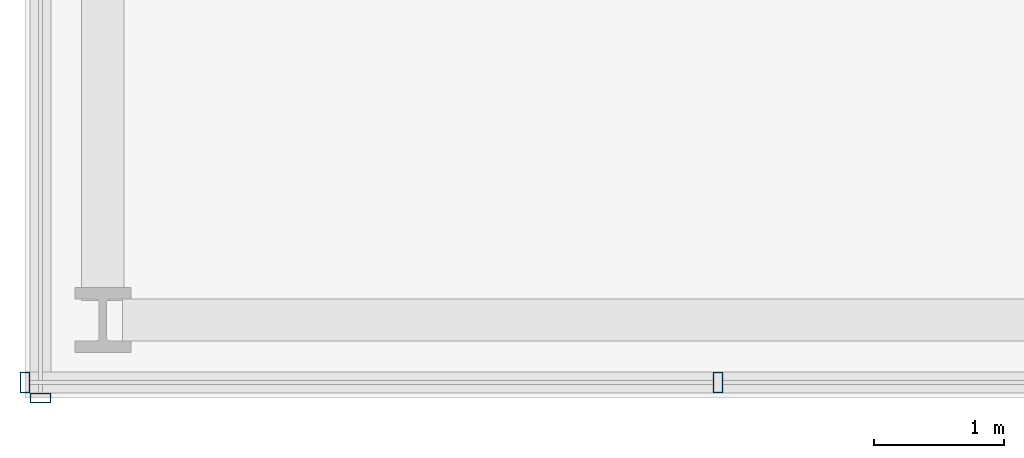
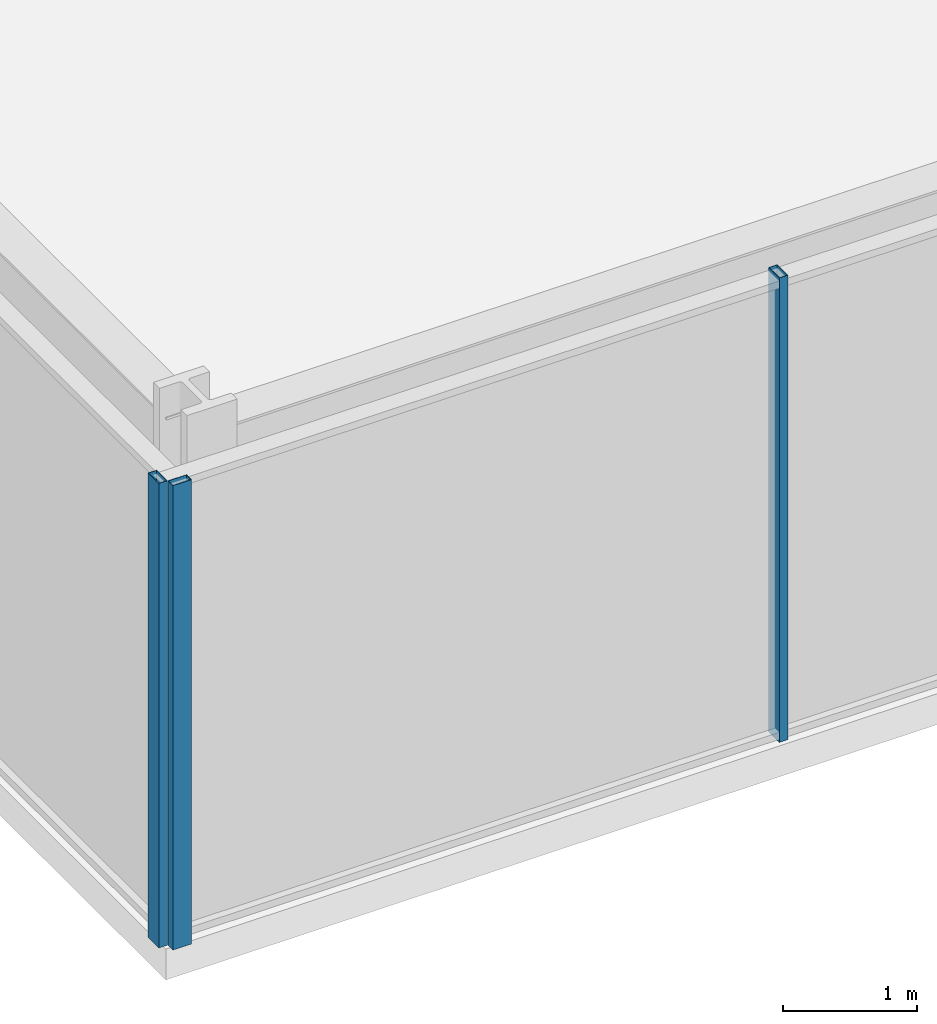
# One storey, part 2 of 47: 3 members, 2 elements without a shape of their own.
"""IFC4 building model written with IfcOpenShell, lengths in metres."""

import ifcopenshell
import ifcopenshell.guid

model = None  # the IFC model being written
_history = None  # IfcOwnerHistory: only IFC2X3 demands one
_inside = {}  # id of a spatial element -> (the spatial element, [elements in it])
_under = {}  # id of a project, library or spatial element -> (it, [spatial elements below it])
_declared = {}  # id of a project -> (the project, [libraries it declares])
_typed = {}  # id of a type object -> (the type object, [elements of that type])
_made_of = {}  # id of a material, layer set ... -> (it, [elements and type objects made of it])


def new_model(schema):
    """Start an empty IFC model of exactly this schema.

    Asked for "IFC4X3", IfcOpenShell would pick the latest addendum, in which some entities
    have other attributes; the version numbers below select the first issue.
    IFC2X3 requires an IfcOwnerHistory on every rooted entity: one is made here for all.
    """
    global model, _history
    if schema == "IFC4X3":
        model = ifcopenshell.file(schema_version=(4, 3, 0, 0))
    else:
        model = ifcopenshell.file(schema=schema)
    _inside.clear()
    _under.clear()
    _declared.clear()
    _typed.clear()
    _made_of.clear()
    _history = None
    if model.schema == "IFC2X3":
        org = make("IfcOrganization", Name="unknown")
        user = make(
            "IfcPersonAndOrganization",
            ThePerson=make("IfcPerson", FamilyName="unknown"),
            TheOrganization=org,
        )
        app = make(
            "IfcApplication",
            ApplicationDeveloper=org,
            Version="unknown",
            ApplicationFullName="unknown",
            ApplicationIdentifier="unknown",
        )
        _history = make(
            "IfcOwnerHistory",
            OwningUser=user,
            OwningApplication=app,
            ChangeAction="ADDED",
            CreationDate=0,
        )
    return model


def make(cls, **values):
    """One entity of the class cls with the attributes given. An attribute that is None is left unset."""
    return model.create_entity(
        cls, **{name: value for name, value in values.items() if value is not None}
    )


def rooted(cls, **values):
    """An entity with a GlobalId (a new one), such as an element, a storey or a relation."""
    return make(cls, GlobalId=ifcopenshell.guid.new(), OwnerHistory=_history, **values)


def si_unit(unit_type, name, prefix=None):
    """IfcSIUnit, for example si_unit("LENGTHUNIT", "METRE", prefix="MILLI")."""
    return make("IfcSIUnit", UnitType=unit_type, Prefix=prefix, Name=name)


def assignment(units):
    """IfcUnitAssignment: the units of a project."""
    return None if units is None else make("IfcUnitAssignment", Units=units)


def point(xyz):
    """IfcCartesianPoint."""
    return None if xyz is None else make("IfcCartesianPoint", Coordinates=xyz)


def direction(xyz):
    """IfcDirection."""
    return None if xyz is None else make("IfcDirection", DirectionRatios=xyz)


def frame(location, z_axis=None, x_axis=None):
    """IfcAxis2Placement3D, a coordinate frame: its origin and axes. An axis left out is left unset."""
    return make(
        "IfcAxis2Placement3D",
        Location=point(location),
        Axis=direction(z_axis),
        RefDirection=direction(x_axis),
    )


def frame_2d(location, x_axis=None):
    """IfcAxis2Placement2D, a coordinate frame in the plane: its origin and x axis."""
    return make(
        "IfcAxis2Placement2D", Location=point(location), RefDirection=direction(x_axis)
    )


def origin():
    """The frame at (0, 0, 0) with its axes left unset."""
    return frame((0.0, 0.0, 0.0))


def origin_2d():
    """The frame at (0, 0) in the plane with its x axis left unset."""
    return frame_2d((0.0, 0.0))


def place(relative_to, where):
    """IfcLocalPlacement: puts the frame where relative to a parent placement (None: the world)."""
    return make(
        "IfcLocalPlacement", PlacementRelTo=relative_to, RelativePlacement=where
    )


def context(
    kind, dimensions, precision=None, world=None, true_north=None, identifier=None
):
    """IfcGeometricRepresentationContext, for example the 3D "Model" context."""
    return make(
        "IfcGeometricRepresentationContext",
        ContextIdentifier=identifier,
        ContextType=kind,
        CoordinateSpaceDimension=dimensions,
        Precision=precision,
        WorldCoordinateSystem=world,
        TrueNorth=true_north,
    )


def subcontext(parent, identifier, kind, view, scale=None):
    """IfcGeometricRepresentationSubContext, for example "Body" below "Model"."""
    return make(
        "IfcGeometricRepresentationSubContext",
        ContextIdentifier=identifier,
        ContextType=kind,
        ParentContext=parent,
        TargetScale=scale,
        TargetView=view,
    )


def project(units=None, contexts=None):
    """IfcProject with its units and contexts."""
    return rooted(
        "IfcProject",
        Name="project",
        RepresentationContexts=contexts,
        UnitsInContext=assignment(units),
    )


def spatial(cls, under=None, at=None, **own):
    """A site, building, storey or space (cls), placed at a placement, below another one or the project."""
    s = rooted(cls, ObjectPlacement=at, **own)
    if under is not None:
        _under.setdefault(under.id(), (under, []))[1].append(s)
    return s


def profile(cls, at=None, kind="AREA", **sizes):
    """A parametric profile (cls). Its sizes go by their IFC names, for example OverallWidth=200.0."""
    return make(cls, ProfileType=kind, Position=at, **sizes)


def hollow_rectangle(**sizes):
    """IfcRectangleHollowProfileDef."""
    return profile("IfcRectangleHollowProfileDef", **sizes)


def extrude(swept, where, along, depth):
    """IfcExtrudedAreaSolid: the profile swept, set in the frame where, extruded along a direction by depth."""
    return make(
        "IfcExtrudedAreaSolid",
        SweptArea=swept,
        Position=where,
        ExtrudedDirection=direction(along),
        Depth=depth,
    )


def shape(context_of_items, identifier, shape_type, items):
    """IfcShapeRepresentation: the items that make up one representation, for example the "Body"."""
    return make(
        "IfcShapeRepresentation",
        ContextOfItems=context_of_items,
        RepresentationIdentifier=identifier,
        RepresentationType=shape_type,
        Items=items,
    )


def material(Name=None, Category=None):
    """IfcMaterial."""
    return make("IfcMaterial", Name=Name, Category=Category)


def material_profile(
    of_material, cross_section, Name=None, Category=None, Priority=None
):
    """IfcMaterialProfile: a cross section and its material."""
    return make(
        "IfcMaterialProfile",
        Name=Name,
        Material=of_material,
        Profile=cross_section,
        Priority=Priority,
        Category=Category,
    )


def profile_set(profiles, Name=None, composite=None):
    """IfcMaterialProfileSet."""
    return make(
        "IfcMaterialProfileSet",
        Name=Name,
        MaterialProfiles=profiles,
        CompositeProfile=composite,
    )


def made_of(thing, what):
    """Note that an element or type object is made of a material, layer set ...; save() writes the relation."""
    if what is not None:
        _made_of.setdefault(what.id(), (what, []))[1].append(thing)
    return thing


def type_object(cls, material=None, **own):
    """A type object (cls), such as IfcWallType, which elements share."""
    return made_of(rooted(cls, **own), material)


def element(
    cls,
    number,
    at=None,
    inside=None,
    cuts=None,
    type_object=None,
    material=None,
    context=None,
    identifier="Body",
    shape_type=None,
    held_by="IfcProductDefinitionShape",
    body=None,
    shapes=None,
    **own,
):
    """One element of the class cls, such as IfcWall. Its Tag is "e" and its number.

    at: its placement. inside: the storey or other place that contains it. cuts: it is an
    opening in that element (IfcRelVoidsElement). A single representation is given by context,
    identifier, shape_type and body (its items); several are given by shapes. held_by: the class
    of the entity that holds the representations. save() writes the other relations.
    """
    e = rooted(cls, Tag="e%d" % number, ObjectPlacement=at, **own)
    if body is not None:
        shapes = [shape(context, identifier, shape_type, body)]
    if shapes is not None:
        e.Representation = make(held_by, Representations=shapes)
    if inside is not None:
        _inside.setdefault(inside.id(), (inside, []))[1].append(e)
    if cuts is not None:
        rooted(
            "IfcRelVoidsElement", RelatingBuildingElement=cuts, RelatedOpeningElement=e
        )
    if type_object is not None:
        _typed.setdefault(type_object.id(), (type_object, []))[1].append(e)
    return made_of(e, material)


def aggregate(whole, parts):
    """IfcRelAggregates: a whole, such as a stair, and the parts it consists of."""
    return rooted("IfcRelAggregates", RelatingObject=whole, RelatedObjects=parts)


def save(model, path):
    """Write the relations noted so far, then the file.

    IfcRelAggregates (storeys below a building ...), IfcRelContainedInSpatialStructure (elements
    in a storey), IfcRelDefinesByType, IfcRelAssociatesMaterial and IfcRelDeclares: one each for
    every whole, place, type object, material and project.
    """
    for whole, parts in _under.values():
        aggregate(whole, parts)
    for where, things in _inside.values():
        rooted(
            "IfcRelContainedInSpatialStructure",
            RelatedElements=things,
            RelatingStructure=where,
        )
    for kind, things in _typed.values():
        rooted("IfcRelDefinesByType", RelatedObjects=things, RelatingType=kind)
    for what, things in _made_of.values():
        rooted("IfcRelAssociatesMaterial", RelatedObjects=things, RelatingMaterial=what)
    for by, libraries in _declared.values():
        rooted("IfcRelDeclares", RelatingContext=by, RelatedDefinitions=libraries)
    model.write(path)


model = new_model("IFC4")

# Units and contexts
model_context = context("Model", 3, precision=1e-05, world=origin(), true_north=direction((0.0, 1.0)))
body_context = subcontext(model_context, "Body", "Model", "MODEL_VIEW")
ifc_project = project(units=[si_unit("LENGTHUNIT", "METRE"), si_unit("AREAUNIT", "SQUARE_METRE"), si_unit("VOLUMEUNIT", "CUBIC_METRE"), si_unit("PLANEANGLEUNIT", "RADIAN"), si_unit("MASSUNIT", "GRAM", prefix="KILO")], contexts=[model_context])

# Site, building, storey
site_placement = place(None, origin())
site = spatial("IfcSite", under=ifc_project, at=site_placement, CompositionType="ELEMENT")
building_placement = place(site_placement, origin())
building = spatial("IfcBuilding", under=site, at=building_placement, Name="Kolvaren Belvedere", CompositionType="ELEMENT")
storey_placement = place(building_placement, frame((0.0, 0.0, 5.5)))
storey = spatial("IfcBuildingStorey", under=building, at=storey_placement, Name="L02", CompositionType="ELEMENT", Elevation=5.5)

# Curtain wall, members
ifc_material_1 = material(Name="Anodised pale-metal aluminium AA 6063-T6", Category="aluminium")
curtain_wall_type = type_object("IfcCurtainWallType", Name="CW-POD-A", PredefinedType="NOTDEFINED", material=ifc_material_1)
curtain_wall_1_placement = place(storey_placement, origin())
curtain_wall_1 = element("IfcCurtainWall", 1, at=curtain_wall_1_placement, inside=storey, type_object=curtain_wall_type, Name="L02 Unitised Curtain Wall FCW-L02-SEG1", PredefinedType="NOTDEFINED")
ifc_material_2 = material(Name="Anodised pale-metal aluminium AA 6063-T6", Category="aluminium")
ifc_material_profile = material_profile(ifc_material_2, hollow_rectangle(XDim=0.074951171875, YDim=0.159912109375, WallThickness=0.00439453125, at=origin_2d()), Name="ALU-MUL-160X75")
ifc_profile_set = profile_set([ifc_material_profile], Name="Anodised pale-metal aluminium AA 6063-T6")
member_type = type_object("IfcMemberType", Name="CW-MUL-160", PredefinedType="MULLION", material=ifc_profile_set)
member_1_placement = place(storey_placement, frame((-22.666748046875, -28.280029296875, 0.0), z_axis=(0.0, 0.0, 1.0), x_axis=(1.0, 0.0, 0.0)))
member_1 = element("IfcMember", 2, at=member_1_placement, type_object=member_type, Name="FCW-L02-SEG1 Unitised Mullion 3", PredefinedType="MULLION", context=body_context, shape_type="SweptSolid", body=[
    extrude(hollow_rectangle(XDim=0.074951171875, YDim=0.159912109375, WallThickness=0.00439453125, at=origin_2d()), origin(), (0.0, 0.0, 1.0), 4.219970703125),
])
member_2_placement = place(storey_placement, frame((-28.0, -28.280029296875, 0.0), z_axis=(0.0, 0.0, 1.0), x_axis=(1.0, 0.0, 0.0)))
member_2 = element("IfcMember", 3, at=member_2_placement, type_object=member_type, Name="FCW-L02-SEG1 Unitised Mullion 4", PredefinedType="MULLION", context=body_context, shape_type="SweptSolid", body=[
    extrude(hollow_rectangle(XDim=0.074951171875, YDim=0.159912109375, WallThickness=0.00439453125, at=origin_2d()), origin(), (0.0, 0.0, 1.0), 4.219970703125),
])
aggregate(curtain_wall_1, [member_1, member_2])

# Curtain wall, member
curtain_wall_2_placement = place(storey_placement, origin())
curtain_wall_2 = element("IfcCurtainWall", 4, at=curtain_wall_2_placement, inside=storey, type_object=curtain_wall_type, Name="L02 Unitised Curtain Wall FCW-L02-SEG8", PredefinedType="NOTDEFINED")
member_3_placement = place(storey_placement, frame((-27.8798828125, -28.39990234375, 0.0), z_axis=(0.0, 0.0, 1.0), x_axis=(0.0, 1.0, 0.0)))
member_3 = element("IfcMember", 5, at=member_3_placement, type_object=member_type, Name="FCW-L02-SEG8 Unitised Mullion 1", PredefinedType="MULLION", context=body_context, shape_type="SweptSolid", body=[
    extrude(hollow_rectangle(XDim=0.074951171875, YDim=0.159912109375, WallThickness=0.00439453125, at=origin_2d()), origin(), (0.0, 0.0, 1.0), 4.219970703125),
])
aggregate(curtain_wall_2, [member_3])

save(model, "model.ifc")
